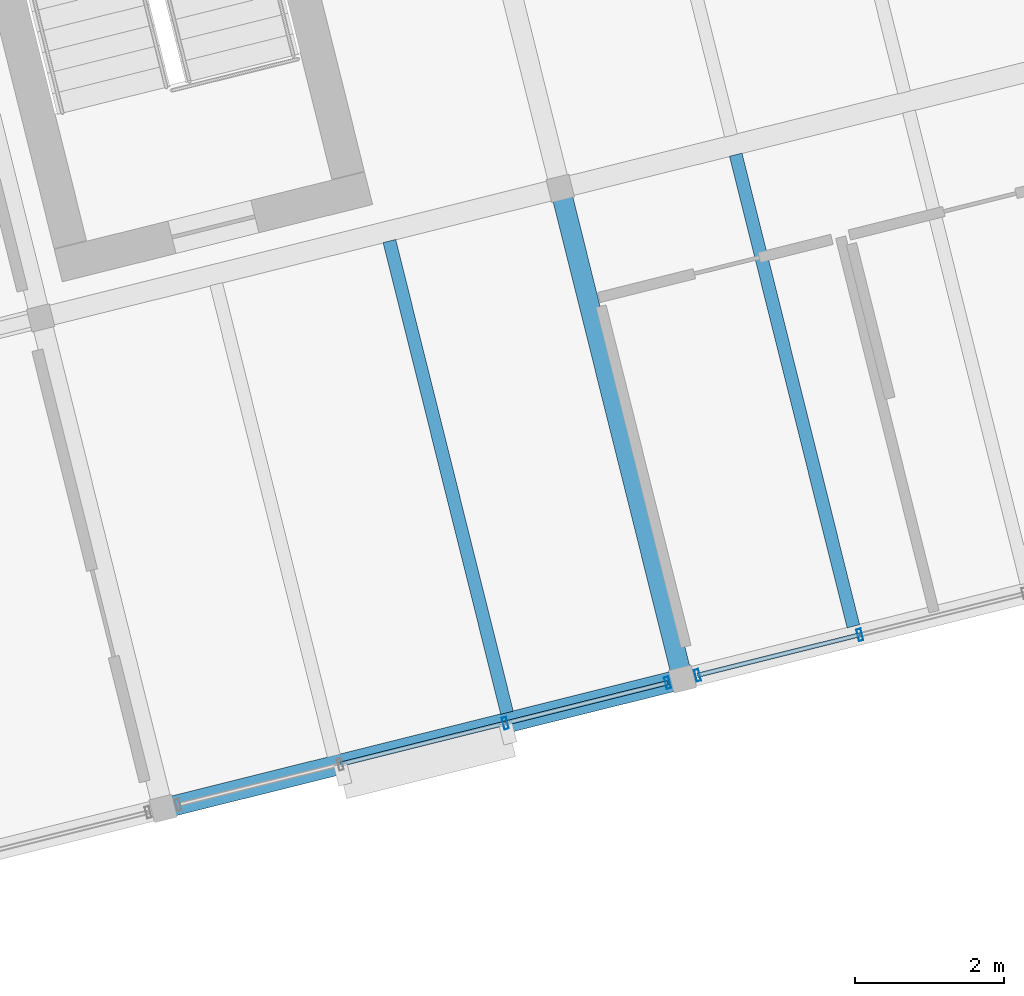
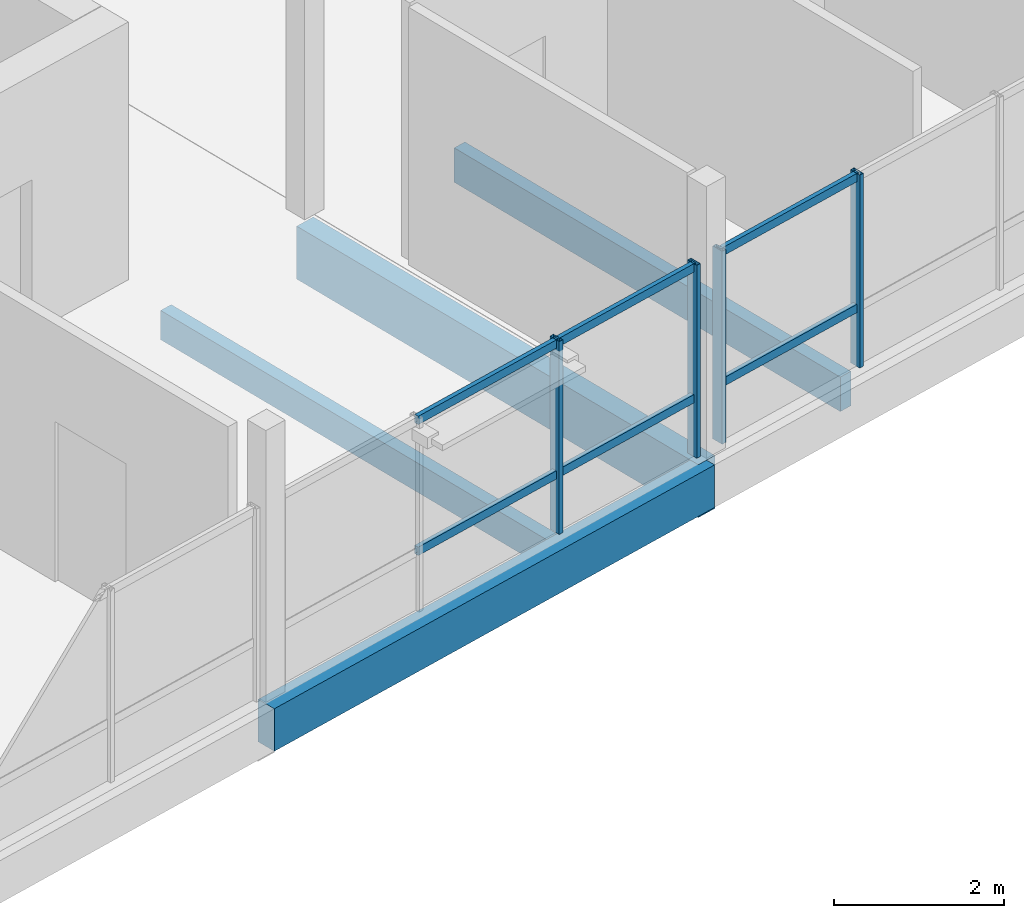
# One storey, part 6 of 25: 10 members, 4 beams, 2 elements without a shape of their own.
"""IFC4 building model written with IfcOpenShell, lengths in metres."""

from ifc_helpers import new_model, si_unit, direction, frame, origin, origin_2d, place, context, subcontext, project, spatial, rectangle, hollow_rectangle, extrude, material, layer, layer_set, material_profile, profile_set, type_object, element, aggregate, save


model = new_model("IFC4")

# Units and contexts
model_context = context("Model", 3, precision=1e-05, world=origin(), true_north=direction((0.0, 1.0)))
body_context = subcontext(model_context, "Body", "Model", "MODEL_VIEW")
ifc_project = project(units=[si_unit("LENGTHUNIT", "METRE"), si_unit("AREAUNIT", "SQUARE_METRE"), si_unit("VOLUMEUNIT", "CUBIC_METRE"), si_unit("PLANEANGLEUNIT", "RADIAN"), si_unit("MASSUNIT", "GRAM", prefix="KILO")], contexts=[model_context])

# Site, building, storey
site_placement = place(None, origin())
site = spatial("IfcSite", under=ifc_project, at=site_placement, CompositionType="ELEMENT")
building_placement = place(site_placement, origin())
building = spatial("IfcBuilding", under=site, at=building_placement, Name="Meriwether Solvik Hall", CompositionType="ELEMENT")
storey_placement = place(building_placement, frame((0.0, 0.0, 53.39990234375)))
storey = spatial("IfcBuildingStorey", under=building, at=storey_placement, Name="L13", CompositionType="ELEMENT", Elevation=53.39990234375)

# Beams
ifc_material_1 = material(Name="Glulam Douglas-Fir 24F-V8 GL28h", Category="wood")
ifc_material_profile_1 = material_profile(ifc_material_1, rectangle(XDim=0.27294921875, YDim=0.610107421875, at=origin_2d()), Name="GLB-273X610")
ifc_profile_set_1 = profile_set([ifc_material_profile_1], Name="Glulam Douglas-Fir 24F-V8 GL28h")
beam_type_1 = type_object("IfcBeamType", Name="BM-GL-273X610", PredefinedType="SPANDREL", material=ifc_profile_set_1)
beam_1_placement = place(storey_placement, frame((75.974365234375, 43.03857421875, -0.48486328125), z_axis=(0.970291911955, 0.241937193493, 0.0), x_axis=(-0.241937193493, 0.970291911955, 0.0)))
element("IfcBeam", 1, at=beam_1_placement, inside=storey, type_object=beam_type_1, Name="Tower Girder TA:T2-T3 (L13)", PredefinedType="SPANDREL", context=body_context, shape_type="SweptSolid", body=[
    extrude(rectangle(XDim=0.27294921875, YDim=0.610107421875, at=origin_2d()), origin(), (0.0, 0.0, 1.0), 7.199951171875),
])
ifc_material_2 = material(Name="Glulam Douglas-Fir 24F-V8 GL28h", Category="wood")
ifc_material_profile_2 = material_profile(ifc_material_2, rectangle(XDim=0.27294921875, YDim=0.760009765625, at=origin_2d()), Name="GLB-273X760")
ifc_profile_set_2 = profile_set([ifc_material_profile_2], Name="Glulam Douglas-Fir 24F-V8 GL28h")
beam_type_2 = type_object("IfcBeamType", Name="BM-GL-273X760", PredefinedType="BEAM", material=ifc_profile_set_2)
beam_2_placement = place(storey_placement, frame((82.96044921875, 44.780517578125, -0.559814453125), z_axis=(-0.241918877831, 0.970296478685, 0.0), x_axis=(-0.970296478685, -0.241918877831, 0.0)))
element("IfcBeam", 2, at=beam_2_placement, inside=storey, type_object=beam_type_2, Name="Tower Girder T3:TA-TB (L13)", PredefinedType="BEAM", context=body_context, shape_type="SweptSolid", body=[
    extrude(rectangle(XDim=0.27294921875, YDim=0.760009765625, at=origin_2d()), origin(), (0.0, 0.0, 1.0), 6.7998046875),
])

# Curtain wall, members
ifc_material_3 = material(Name="Thermally Broken Anodised Aluminium 6063-T6 and Low-E Glass", Category="aluminium")
ifc_layer_1 = layer(ifc_material_3, 0.179931640625)
ifc_layer_set_1 = layer_set([ifc_layer_1], Name="Thermally Broken Anodised Aluminium 6063-T6 and Low-E Glass")
curtain_wall_type_1 = type_object("IfcCurtainWallType", Name="CW-UNIT-E", PredefinedType="USERDEFINED", material=ifc_layer_set_1)
curtain_wall_1_placement = place(storey_placement, origin())
curtain_wall_1 = element("IfcCurtainWall", 3, at=curtain_wall_1_placement, inside=storey, type_object=curtain_wall_type_1, Name="Curtain Wall E0_B1 (L13)", ObjectType="UNITISED CURTAIN WALL", PredefinedType="USERDEFINED")
ifc_material_4 = material(Name="Anodised Aluminium 6063-T6", Category="aluminium")
ifc_material_profile_3 = material_profile(ifc_material_4, hollow_rectangle(XDim=0.06005859375, YDim=0.159912109375, WallThickness=0.00390625, at=origin_2d()), Name="CWM-60X160")
ifc_profile_set_3 = profile_set([ifc_material_profile_3], Name="Anodised Aluminium 6063-T6")
member_type_1 = type_object("IfcMemberType", Name="CW-MUL-60X160", PredefinedType="MULLION", material=ifc_profile_set_3)
member_1_placement = place(storey_placement, frame((82.759033203125, 44.730224609375, 0.0), z_axis=(0.0, 0.0, 1.0), x_axis=(-0.970295730764, -0.241921877598, 0.0)))
member_1 = element("IfcMember", 4, at=member_1_placement, type_object=member_type_1, Name="Curtain Wall Mullion 1", PredefinedType="MULLION", context=body_context, shape_type="SweptSolid", body=[
    extrude(hollow_rectangle(XDim=0.06005859375, YDim=0.159912109375, WallThickness=0.00390625, at=origin_2d()), origin(), (0.0, 0.0, 1.0), 2.77001953125),
])
member_2_placement = place(storey_placement, frame((80.576904296875, 44.186279296875, 0.0), z_axis=(0.0, 0.0, 1.0), x_axis=(-0.970295730764, -0.241921877598, 0.0)))
member_2 = element("IfcMember", 5, at=member_2_placement, type_object=member_type_1, Name="Curtain Wall Mullion 2", PredefinedType="MULLION", context=body_context, shape_type="SweptSolid", body=[
    extrude(hollow_rectangle(XDim=0.06005859375, YDim=0.159912109375, WallThickness=0.00390625, at=origin_2d()), origin(), (0.0, 0.0, 1.0), 2.77001953125),
])

ifc_material_5 = material(Name="Thermally Broken Anodised Aluminium 6063-T6 and Low-E Glass", Category="aluminium")
ifc_layer_2 = layer(ifc_material_5, 0.179931640625)
ifc_layer_set_2 = layer_set([ifc_layer_2], Name="Thermally Broken Anodised Aluminium 6063-T6 and Low-E Glass")
curtain_wall_type_2 = type_object("IfcCurtainWallType", Name="CW-UNIT-F", PredefinedType="USERDEFINED", material=ifc_layer_set_2)
curtain_wall_2_placement = place(storey_placement, origin())
curtain_wall_2 = element("IfcCurtainWall", 6, at=curtain_wall_2_placement, inside=storey, type_object=curtain_wall_type_2, Name="Curtain Wall E0_B2 (L13)", ObjectType="UNITISED CURTAIN WALL", PredefinedType="USERDEFINED")
member_3_placement = place(storey_placement, frame((85.343994140625, 45.374755859375, 0.0), z_axis=(0.0, 0.0, 1.0), x_axis=(-0.970295730764, -0.241921877598, 0.0)))
member_3 = element("IfcMember", 7, at=member_3_placement, type_object=member_type_1, Name="Curtain Wall Mullion 3", PredefinedType="MULLION", context=body_context, shape_type="SweptSolid", body=[
    extrude(hollow_rectangle(XDim=0.06005859375, YDim=0.159912109375, WallThickness=0.00390625, at=origin_2d()), origin(), (0.0, 0.0, 1.0), 2.77001953125),
])
member_4_placement = place(storey_placement, frame((83.16162109375, 44.83056640625, 0.0), z_axis=(0.0, 0.0, 1.0), x_axis=(-0.970295730764, -0.241921877598, 0.0)))
member_4 = element("IfcMember", 8, at=member_4_placement, type_object=member_type_1, Name="Curtain Wall Mullion 4", PredefinedType="MULLION", context=body_context, shape_type="SweptSolid", body=[
    extrude(hollow_rectangle(XDim=0.06005859375, YDim=0.159912109375, WallThickness=0.00390625, at=origin_2d()), origin(), (0.0, 0.0, 1.0), 2.77001953125),
])

# Member
ifc_material_6 = material(Name="Anodised Aluminium 6063-T6", Category="aluminium")
ifc_material_profile_4 = material_profile(ifc_material_6, hollow_rectangle(XDim=0.06005859375, YDim=0.1201171875, WallThickness=0.00390625, at=origin_2d()), Name="CWT-60X120")
ifc_profile_set_4 = profile_set([ifc_material_profile_4], Name="Anodised Aluminium 6063-T6")
member_type_2 = type_object("IfcMemberType", Name="CW-TRN-60X120", PredefinedType="USERDEFINED", material=ifc_profile_set_4)
member_5_placement = place(storey_placement, frame((82.759033203125, 44.730224609375, 0.8310546875), z_axis=(-0.970308305597, -0.241871437108, 0.0), x_axis=(0.241871437108, -0.970308305597, 0.0)))
member_5 = element("IfcMember", 9, at=member_5_placement, type_object=member_type_2, Name="Curtain Wall Transom 1-sill", ObjectType="TRANSOM", PredefinedType="USERDEFINED", context=body_context, shape_type="SweptSolid", body=[
    extrude(hollow_rectangle(XDim=0.06005859375, YDim=0.1201171875, WallThickness=0.00390625, at=origin_2d()), origin(), (0.0, 0.0, 1.0), 2.2490234375),
])

member_6_placement = place(storey_placement, frame((82.759033203125, 44.730224609375, 2.710205078125), z_axis=(-0.970308305597, -0.241871437108, 0.0), x_axis=(0.241871437108, -0.970308305597, 0.0)))
member_6 = element("IfcMember", 10, at=member_6_placement, type_object=member_type_2, Name="Curtain Wall Transom 1-head", ObjectType="TRANSOM", PredefinedType="USERDEFINED", context=body_context, shape_type="SweptSolid", body=[
    extrude(hollow_rectangle(XDim=0.06005859375, YDim=0.1201171875, WallThickness=0.00390625, at=origin_2d()), origin(), (0.0, 0.0, 1.0), 2.2490234375),
])

member_7_placement = place(storey_placement, frame((80.576904296875, 44.186279296875, 0.8310546875), z_axis=(-0.970280478888, -0.241983041324, 0.0), x_axis=(0.241983041324, -0.970280478888, 0.0)))
member_7 = element("IfcMember", 11, at=member_7_placement, type_object=member_type_2, Name="Curtain Wall Transom 2-sill", ObjectType="TRANSOM", PredefinedType="USERDEFINED", context=body_context, shape_type="SweptSolid", body=[
    extrude(hollow_rectangle(XDim=0.06005859375, YDim=0.1201171875, WallThickness=0.00390625, at=origin_2d()), origin(), (0.0, 0.0, 1.0), 2.287109375),
])

member_8_placement = place(storey_placement, frame((80.576904296875, 44.186279296875, 2.710205078125), z_axis=(-0.970280478888, -0.241983041324, 0.0), x_axis=(0.241983041324, -0.970280478888, 0.0)))
member_8 = element("IfcMember", 12, at=member_8_placement, type_object=member_type_2, Name="Curtain Wall Transom 2-head", ObjectType="TRANSOM", PredefinedType="USERDEFINED", context=body_context, shape_type="SweptSolid", body=[
    extrude(hollow_rectangle(XDim=0.06005859375, YDim=0.1201171875, WallThickness=0.00390625, at=origin_2d()), origin(), (0.0, 0.0, 1.0), 2.287109375),
])

aggregate(curtain_wall_1, [member_1, member_2, member_5, member_6, member_7, member_8])

member_9_placement = place(storey_placement, frame((85.343994140625, 45.374755859375, 0.8310546875), z_axis=(-0.970289178123, -0.241948157292, 0.0), x_axis=(0.241948157292, -0.970289178123, 0.0)))
member_9 = element("IfcMember", 13, at=member_9_placement, type_object=member_type_2, Name="Curtain Wall Transom 3-sill", ObjectType="TRANSOM", PredefinedType="USERDEFINED", context=body_context, shape_type="SweptSolid", body=[
    extrude(hollow_rectangle(XDim=0.06005859375, YDim=0.1201171875, WallThickness=0.00390625, at=origin_2d()), origin(), (0.0, 0.0, 1.0), 2.249267578125),
])

member_10_placement = place(storey_placement, frame((85.343994140625, 45.374755859375, 2.710205078125), z_axis=(-0.970289178123, -0.241948157292, 0.0), x_axis=(0.241948157292, -0.970289178123, 0.0)))
member_10 = element("IfcMember", 14, at=member_10_placement, type_object=member_type_2, Name="Curtain Wall Transom 3-head", ObjectType="TRANSOM", PredefinedType="USERDEFINED", context=body_context, shape_type="SweptSolid", body=[
    extrude(hollow_rectangle(XDim=0.06005859375, YDim=0.1201171875, WallThickness=0.00390625, at=origin_2d()), origin(), (0.0, 0.0, 1.0), 2.249267578125),
])

aggregate(curtain_wall_2, [member_3, member_4, member_9, member_10])

# Beams
ifc_material_7 = material(Name="Glulam Douglas-Fir 24F-V8 GL28h", Category="wood")
ifc_material_profile_5 = material_profile(ifc_material_7, rectangle(XDim=0.175048828125, YDim=0.419921875, at=origin_2d()), Name="GLJ-175X420")
ifc_profile_set_5 = profile_set([ifc_material_profile_5], Name="Glulam Douglas-Fir 24F-V8 GL28h")
beam_type_3 = type_object("IfcBeamType", Name="JST-GL-175X420", PredefinedType="JOIST", material=ifc_profile_set_5)
beam_3_placement = place(storey_placement, frame((80.599853515625, 44.327392578125, -0.389892578125), z_axis=(-0.241938016776, 0.970291706673, 0.0), x_axis=(-0.970291706673, -0.241938016776, 0.0)))
element("IfcBeam", 15, at=beam_3_placement, inside=storey, type_object=beam_type_3, Name="Glulam Floor Joist T2/TA-J2 (L13)", PredefinedType="JOIST", context=body_context, shape_type="SweptSolid", body=[
    extrude(rectangle(XDim=0.175048828125, YDim=0.419921875, at=origin_2d()), origin(), (0.0, 0.0, 1.0), 6.536865234375),
])
ifc_material_8 = material(Name="Glulam Douglas-Fir 24F-V8 GL28h", Category="wood")
ifc_material_profile_6 = material_profile(ifc_material_8, rectangle(XDim=0.175048828125, YDim=0.4951171875, at=origin_2d()), Name="GLJ-175X495")
ifc_profile_set_6 = profile_set([ifc_material_profile_6], Name="Glulam Douglas-Fir 24F-V8 GL28h")
beam_type_4 = type_object("IfcBeamType", Name="JST-GL-175X495", PredefinedType="JOIST", material=ifc_profile_set_6)
beam_4_placement = place(storey_placement, frame((85.25732421875, 45.48876953125, -0.427490234375), z_axis=(-0.241938016776, 0.970291706673, 0.0), x_axis=(-0.970291706673, -0.241938016776, 0.0)))
element("IfcBeam", 16, at=beam_4_placement, inside=storey, type_object=beam_type_4, Name="Glulam Floor Joist T3/TA-J1 (L13)", PredefinedType="JOIST", context=body_context, shape_type="SweptSolid", body=[
    extrude(rectangle(XDim=0.175048828125, YDim=0.4951171875, at=origin_2d()), origin(), (0.0, 0.0, 1.0), 6.536865234375),
])

save(model, "model.ifc")
